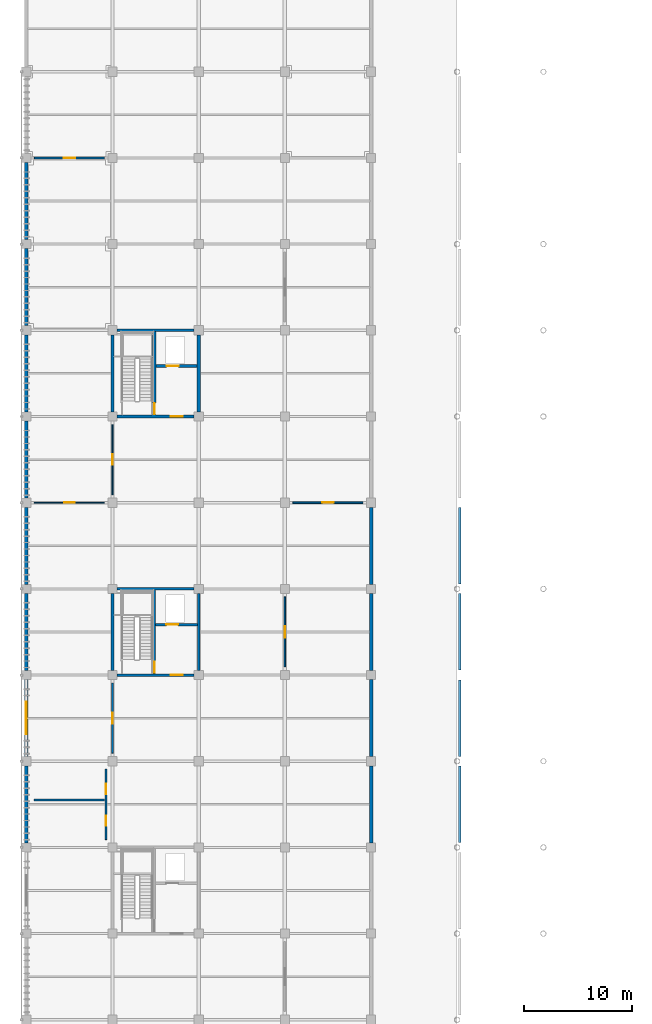
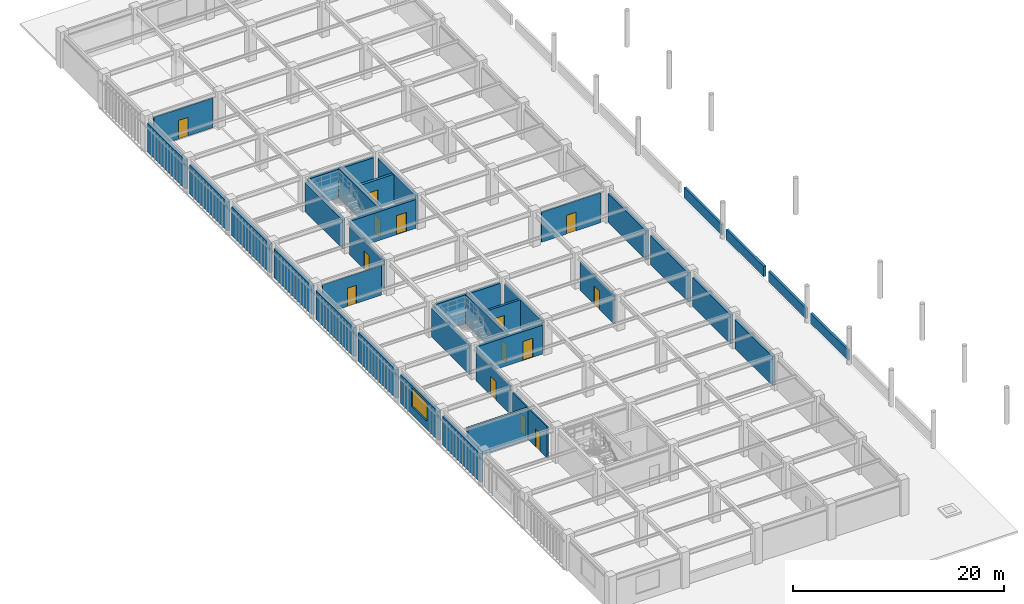
# One storey, part 53 of 78: 36 walls, 14 doors, 1 window, 15 openings.
"""IFC4 building model written with IfcOpenShell, lengths in metres."""

from ifc_helpers import new_model, si_unit, direction, frame, frame_2d, origin, place, context, subcontext, project, spatial, rectangle, extrude, material, layer, layer_set, type_object, element, fill, save


model = new_model("IFC4")

# Units and contexts
model_context = context("Model", 3, precision=1e-05, world=origin(), true_north=direction((0.0, 1.0)))
body_context = subcontext(model_context, "Body", "Model", "MODEL_VIEW")
ifc_project = project(units=[si_unit("LENGTHUNIT", "METRE"), si_unit("AREAUNIT", "SQUARE_METRE"), si_unit("VOLUMEUNIT", "CUBIC_METRE"), si_unit("PLANEANGLEUNIT", "RADIAN"), si_unit("MASSUNIT", "GRAM", prefix="KILO")], contexts=[model_context])

# Site, building, storey
site_placement = place(None, origin())
site = spatial("IfcSite", under=ifc_project, at=site_placement, CompositionType="ELEMENT")
building_placement = place(site_placement, origin())
building = spatial("IfcBuilding", under=site, at=building_placement, Name="Haebicheon Civic Stadium", CompositionType="ELEMENT")
storey_placement = place(building_placement, frame((0.0, 0.0, 18.60009765625)))
storey = spatial("IfcBuildingStorey", under=building, at=storey_placement, Name="L05", CompositionType="ELEMENT", Elevation=18.60009765625)

# Wall, opening, door
ifc_material_1 = material(Name="Concrete C40/50", Category="concrete")
ifc_layer_1 = layer(ifc_material_1, 0.239990234375, Name="Concrete C40/50")
ifc_layer_set_1 = layer_set([ifc_layer_1], Name="Concrete C40/50")
wall_type_1 = type_object("IfcWallType", Name="CW-SHR-240", PredefinedType="SHEAR", material=ifc_layer_set_1)
wall_1_placement = place(storey_placement, frame((32.425048828125, 80.0, 0.0), z_axis=(0.0, 0.0, 1.0), x_axis=(1.0, 0.0, 0.0)))
wall_1 = element("IfcWall", 1, at=wall_1_placement, inside=storey, type_object=wall_type_1, material=ifc_layer_set_1, Name="KC-03 L05 south core shear wall", PredefinedType="SHEAR", context=body_context, shape_type="SweptSolid", body=[
    extrude(rectangle(XDim=7.14990234375, YDim=0.239990234375, at=frame_2d((3.574951171875, 0.0))), origin(), (0.0, 0.0, 1.0), 3.33984375),
])
opening_1_placement = place(wall_1_placement, frame((5.0, 0.0, 0.0)))
opening_1 = element("IfcOpeningElement", 2, at=opening_1_placement, cuts=wall_1, Name="Opening D-L05-KC-03-LOB", PredefinedType="OPENING", context=body_context, shape_type="SweptSolid", body=[
    extrude(rectangle(XDim=1.10009765625, YDim=2.199951171875, at=frame_2d((0.550048828125, 1.10009765625))), frame((0.0, 0.1298828125, 0.0), z_axis=(0.0, -1.0, 0.0), x_axis=(1.0, 0.0, 0.0)), (0.0, 0.0, 1.0), 0.260009765625),
])
ifc_material_2 = material(Name="Galvanised painted steel SM355", Category="steel")
door_type_1 = type_object("IfcDoorType", Name="ID-FD-1100", OperationType="NOTDEFINED", PredefinedType="DOOR", material=ifc_material_2)
door_1_placement = place(opening_1_placement, origin())
door_1 = element("IfcDoor", 3, at=door_1_placement, inside=storey, type_object=door_type_1, material=ifc_material_2, Name="L05 KC-03 lobby fire door", OperationType="SINGLE_SWING_RIGHT", OverallHeight=2.199951171875, OverallWidth=1.10009765625, PredefinedType="DOOR", context=body_context, shape_type="SweptSolid", body=[
    extrude(rectangle(XDim=1.10009765625, YDim=2.199951171875, at=frame_2d((0.550048828125, 1.10009765625))), frame((0.0, 0.02490234375, 0.0), z_axis=(0.0, -1.0, 0.0), x_axis=(1.0, 0.0, 0.0)), (0.0, 0.0, 1.0), 0.050048828125),
])
fill(opening_1, door_1)

# Walls
for number, where, z_axis, x_axis, name in (
    (4, (32.425048828125, 88.0, 0.0), (0.0, 0.0, 1.0), (1.0, 0.0, 0.0), "KC-03 L05 north core shear wall"),
    (5, (32.0, 80.425048828125, 0.0), (0.0, 0.0, 1.0), (0.0, 1.0, 0.0), "KC-03 L05 west core shear wall"),
    (6, (40.0, 80.425048828125, 0.0), (0.0, 0.0, 1.0), (0.0, 1.0, 0.0), "KC-03 L05 east core shear wall"),
):
    element("IfcWall", number, at=place(storey_placement, frame(where, z_axis=z_axis, x_axis=x_axis)), inside=storey, type_object=wall_type_1, material=ifc_layer_set_1, Name=name, PredefinedType="SHEAR", context=body_context, shape_type="SweptSolid", body=[
        extrude(rectangle(XDim=7.14990234375, YDim=0.239990234375, at=frame_2d((3.574951171875, 0.0))), origin(), (0.0, 0.0, 1.0), 3.33984375),
    ])

# Wall, opening, door
wall_2_placement = place(storey_placement, frame((35.8798828125, 80.1201171875, 0.0), z_axis=(0.0, 0.0, 1.0), x_axis=(0.0, 1.0, 0.0)))
wall_2 = element("IfcWall", 7, at=wall_2_placement, inside=storey, type_object=wall_type_1, material=ifc_layer_set_1, Name="KC-03 L05 stair-lobby dividing shear wall", PredefinedType="SHEAR", context=body_context, shape_type="SweptSolid", body=[
    extrude(rectangle(XDim=7.759765625, YDim=0.239990234375, at=frame_2d((3.8798828125, 0.0))), origin(), (0.0, 0.0, 1.0), 3.43994140625),
])
opening_2_placement = place(wall_2_placement, frame((0.080078125, 0.0, 0.0)))
opening_2 = element("IfcOpeningElement", 8, at=opening_2_placement, cuts=wall_2, Name="Opening D-L05-KC-03-STR", PredefinedType="OPENING", context=body_context, shape_type="SweptSolid", body=[
    extrude(rectangle(XDim=1.050048828125, YDim=2.14990234375, at=frame_2d((0.52490234375, 1.074951171875))), frame((0.0, 0.1298828125, 0.0), z_axis=(0.0, -1.0, 0.0), x_axis=(1.0, 0.0, 0.0)), (0.0, 0.0, 1.0), 0.260009765625),
])
ifc_material_3 = material(Name="Galvanised painted steel SM355", Category="steel")
door_type_2 = type_object("IfcDoorType", Name="ID-FD-1050", OperationType="NOTDEFINED", PredefinedType="DOOR", material=ifc_material_3)
door_2_placement = place(opening_2_placement, origin())
door_2 = element("IfcDoor", 9, at=door_2_placement, inside=storey, type_object=door_type_2, material=ifc_material_3, Name="L05 ST-03 stairwell escape door", OperationType="SINGLE_SWING_LEFT", OverallHeight=2.14990234375, OverallWidth=1.050048828125, PredefinedType="DOOR", context=body_context, shape_type="SweptSolid", body=[
    extrude(rectangle(XDim=1.050048828125, YDim=2.14990234375, at=frame_2d((0.52490234375, 1.074951171875))), frame((0.0, 0.02490234375, 0.0), z_axis=(0.0, -1.0, 0.0), x_axis=(1.0, 0.0, 0.0)), (0.0, 0.0, 1.0), 0.050048828125),
])
fill(opening_2, door_2)

wall_3_placement = place(storey_placement, frame((36.0, 84.679931640625, 0.0), z_axis=(0.0, 0.0, 1.0), x_axis=(1.0, 0.0, 0.0)))
wall_3 = element("IfcWall", 10, at=wall_3_placement, inside=storey, type_object=wall_type_1, material=ifc_layer_set_1, Name="KC-03 L05 lift shaft front wall", PredefinedType="SHEAR", context=body_context, shape_type="SweptSolid", body=[
    extrude(rectangle(XDim=3.8798828125, YDim=0.239990234375, at=frame_2d((1.93994140625, 0.0))), origin(), (0.0, 0.0, 1.0), 3.33984375),
])
opening_3_placement = place(wall_3_placement, frame((1.0, 0.0, 0.0)))
opening_3 = element("IfcOpeningElement", 11, at=opening_3_placement, cuts=wall_3, Name="Opening LD-03-L05", PredefinedType="OPENING", context=body_context, shape_type="SweptSolid", body=[
    extrude(rectangle(XDim=1.10009765625, YDim=2.14990234375, at=frame_2d((0.550048828125, 1.074951171875))), frame((0.0, 0.1298828125, 0.0), z_axis=(0.0, -1.0, 0.0), x_axis=(1.0, 0.0, 0.0)), (0.0, 0.0, 1.0), 0.260009765625),
])
ifc_material_4 = material(Name="Stainless steel 316", Category="steel")
door_type_3 = type_object("IfcDoorType", Name="ID-LD-1100", OperationType="NOTDEFINED", PredefinedType="DOOR", material=ifc_material_4)
door_3_placement = place(opening_3_placement, origin())
door_3 = element("IfcDoor", 12, at=door_3_placement, inside=storey, type_object=door_type_3, material=ifc_material_4, Name="LF-03 lift landing sliding door L05", OperationType="SLIDING_TO_LEFT", OverallHeight=2.14990234375, OverallWidth=1.10009765625, PredefinedType="DOOR", context=body_context, shape_type="SweptSolid", body=[
    extrude(rectangle(XDim=1.10009765625, YDim=2.14990234375, at=frame_2d((0.550048828125, 1.074951171875))), frame((0.0, 0.02490234375, 0.0), z_axis=(0.0, -1.0, 0.0), x_axis=(1.0, 0.0, 0.0)), (0.0, 0.0, 1.0), 0.050048828125),
])
fill(opening_3, door_3)

wall_4_placement = place(storey_placement, frame((32.425048828125, 104.0, 0.0), z_axis=(0.0, 0.0, 1.0), x_axis=(1.0, 0.0, 0.0)))
wall_4 = element("IfcWall", 13, at=wall_4_placement, inside=storey, type_object=wall_type_1, material=ifc_layer_set_1, Name="KC-04 L05 south core shear wall", PredefinedType="SHEAR", context=body_context, shape_type="SweptSolid", body=[
    extrude(rectangle(XDim=7.14990234375, YDim=0.239990234375, at=frame_2d((3.574951171875, 0.0))), origin(), (0.0, 0.0, 1.0), 3.33984375),
])
opening_4_placement = place(wall_4_placement, frame((5.0, 0.0, 0.0)))
opening_4 = element("IfcOpeningElement", 14, at=opening_4_placement, cuts=wall_4, Name="Opening D-L05-KC-04-LOB", PredefinedType="OPENING", context=body_context, shape_type="SweptSolid", body=[
    extrude(rectangle(XDim=1.10009765625, YDim=2.199951171875, at=frame_2d((0.550048828125, 1.10009765625))), frame((0.0, 0.1298828125, 0.0), z_axis=(0.0, -1.0, 0.0), x_axis=(1.0, 0.0, 0.0)), (0.0, 0.0, 1.0), 0.260009765625),
])
door_4_placement = place(opening_4_placement, origin())
door_4 = element("IfcDoor", 15, at=door_4_placement, inside=storey, type_object=door_type_1, material=ifc_material_2, Name="L05 KC-04 lobby fire door", OperationType="SINGLE_SWING_RIGHT", OverallHeight=2.199951171875, OverallWidth=1.10009765625, PredefinedType="DOOR", context=body_context, shape_type="SweptSolid", body=[
    extrude(rectangle(XDim=1.10009765625, YDim=2.199951171875, at=frame_2d((0.550048828125, 1.10009765625))), frame((0.0, 0.02490234375, 0.0), z_axis=(0.0, -1.0, 0.0), x_axis=(1.0, 0.0, 0.0)), (0.0, 0.0, 1.0), 0.050048828125),
])
fill(opening_4, door_4)

# Walls
wall_5_placement = place(storey_placement, frame((32.425048828125, 112.0, 0.0), z_axis=(0.0, 0.0, 1.0), x_axis=(1.0, 0.0, 0.0)))
element("IfcWall", 16, at=wall_5_placement, inside=storey, type_object=wall_type_1, material=ifc_layer_set_1, Name="KC-04 L05 north core shear wall", PredefinedType="SHEAR", context=body_context, shape_type="SweptSolid", body=[
    extrude(rectangle(XDim=7.14990234375, YDim=0.239990234375, at=frame_2d((3.574951171875, 0.0))), origin(), (0.0, 0.0, 1.0), 3.33984375),
])
ifc_material_5 = material(Name="Concrete C40/50", Category="concrete")
ifc_layer_2 = layer(ifc_material_5, 0.300048828125, Name="Concrete C40/50")
ifc_layer_set_2 = layer_set([ifc_layer_2], Name="Concrete C40/50")
wall_type_2 = type_object("IfcWallType", Name="CW-SHR-300", PredefinedType="SHEAR", material=ifc_layer_set_2)
for number, where, z_axis, x_axis, name in (
    (17, (32.0, 104.425048828125, 0.0), (0.0, 0.0, 1.0), (0.0, 1.0, 0.0), "KC-04 L05 west core shear wall"),
    (18, (40.0, 104.425048828125, 0.0), (0.0, 0.0, 1.0), (0.0, 1.0, 0.0), "KC-04 L05 east core shear wall"),
):
    element("IfcWall", number, at=place(storey_placement, frame(where, z_axis=z_axis, x_axis=x_axis)), inside=storey, type_object=wall_type_2, material=ifc_layer_set_2, Name=name, PredefinedType="SHEAR", context=body_context, shape_type="SweptSolid", body=[
        extrude(rectangle(XDim=7.14990234375, YDim=0.300048828125, at=frame_2d((3.574951171875, 0.0))), origin(), (0.0, 0.0, 1.0), 3.33984375),
    ])

# Wall, opening, door
wall_6_placement = place(storey_placement, frame((35.8798828125, 104.1201171875, 0.0), z_axis=(0.0, 0.0, 1.0), x_axis=(0.0, 1.0, 0.0)))
wall_6 = element("IfcWall", 19, at=wall_6_placement, inside=storey, type_object=wall_type_2, material=ifc_layer_set_2, Name="KC-04 L05 stair-lobby dividing shear wall", PredefinedType="SHEAR", context=body_context, shape_type="SweptSolid", body=[
    extrude(rectangle(XDim=7.759765625, YDim=0.300048828125, at=frame_2d((3.8798828125, 0.0))), origin(), (0.0, 0.0, 1.0), 3.43994140625),
])
opening_5_placement = place(wall_6_placement, frame((0.080078125, 0.0, 0.0)))
opening_5 = element("IfcOpeningElement", 20, at=opening_5_placement, cuts=wall_6, Name="Opening D-L05-KC-04-STR", PredefinedType="OPENING", context=body_context, shape_type="SweptSolid", body=[
    extrude(rectangle(XDim=1.050048828125, YDim=2.14990234375, at=frame_2d((0.52490234375, 1.074951171875))), frame((0.0, 0.159912109375, 0.0), z_axis=(0.0, -1.0, 0.0), x_axis=(1.0, 0.0, 0.0)), (0.0, 0.0, 1.0), 0.320068359375),
])
door_5_placement = place(opening_5_placement, origin())
door_5 = element("IfcDoor", 21, at=door_5_placement, inside=storey, type_object=door_type_2, material=ifc_material_3, Name="L05 ST-04 stairwell escape door", OperationType="SINGLE_SWING_LEFT", OverallHeight=2.14990234375, OverallWidth=1.050048828125, PredefinedType="DOOR", context=body_context, shape_type="SweptSolid", body=[
    extrude(rectangle(XDim=1.050048828125, YDim=2.14990234375, at=frame_2d((0.52490234375, 1.074951171875))), frame((0.0, 0.02490234375, 0.0), z_axis=(0.0, -1.0, 0.0), x_axis=(1.0, 0.0, 0.0)), (0.0, 0.0, 1.0), 0.050048828125),
])
fill(opening_5, door_5)

wall_7_placement = place(storey_placement, frame((36.030029296875, 108.679931640625, 0.0), z_axis=(0.0, 0.0, 1.0), x_axis=(1.0, 0.0, 0.0)))
wall_7 = element("IfcWall", 22, at=wall_7_placement, inside=storey, type_object=wall_type_2, material=ifc_layer_set_2, Name="KC-04 L05 lift shaft front wall", PredefinedType="SHEAR", context=body_context, shape_type="SweptSolid", body=[
    extrude(rectangle(XDim=3.820068359375, YDim=0.300048828125, at=frame_2d((1.91015625, 0.0))), origin(), (0.0, 0.0, 1.0), 3.33984375),
])
opening_6_placement = place(wall_7_placement, frame((1.0, 0.0, 0.0)))
opening_6 = element("IfcOpeningElement", 23, at=opening_6_placement, cuts=wall_7, Name="Opening LD-04-L05", PredefinedType="OPENING", context=body_context, shape_type="SweptSolid", body=[
    extrude(rectangle(XDim=1.10009765625, YDim=2.14990234375, at=frame_2d((0.550048828125, 1.074951171875))), frame((0.0, 0.159912109375, 0.0), z_axis=(0.0, -1.0, 0.0), x_axis=(1.0, 0.0, 0.0)), (0.0, 0.0, 1.0), 0.320068359375),
])
door_6_placement = place(opening_6_placement, origin())
door_6 = element("IfcDoor", 24, at=door_6_placement, inside=storey, type_object=door_type_3, material=ifc_material_4, Name="LF-04 lift landing sliding door L05", OperationType="SLIDING_TO_LEFT", OverallHeight=2.14990234375, OverallWidth=1.10009765625, PredefinedType="DOOR", context=body_context, shape_type="SweptSolid", body=[
    extrude(rectangle(XDim=1.10009765625, YDim=2.14990234375, at=frame_2d((0.550048828125, 1.074951171875))), frame((0.0, 0.02490234375, 0.0), z_axis=(0.0, -1.0, 0.0), x_axis=(1.0, 0.0, 0.0)), (0.0, 0.0, 1.0), 0.050048828125),
])
fill(opening_6, door_6)

# Wall
ifc_material_6 = material(Name="Precast concrete C40/50", Category="concrete")
ifc_layer_3 = layer(ifc_material_6, 0.320068359375, Name="Precast concrete C40/50")
ifc_layer_set_3 = layer_set([ifc_layer_3], Name="Precast concrete C40/50")
wall_type_3 = type_object("IfcWallType", Name="EW-BM-320", PredefinedType="SOLIDWALL", material=ifc_layer_set_3)
wall_8_placement = place(storey_placement, frame((24.0, 64.425048828125, 0.0), z_axis=(0.0, 0.0, 1.0), x_axis=(0.0, 1.0, 0.0)))
element("IfcWall", 25, at=wall_8_placement, inside=storey, type_object=wall_type_3, material=ifc_layer_set_3, Name="L05 board-marked concrete facade wall 03-08-W", PredefinedType="SOLIDWALL", context=body_context, shape_type="SweptSolid", body=[
    extrude(rectangle(XDim=7.14990234375, YDim=0.320068359375, at=frame_2d((3.574951171875, 0.0))), origin(), (0.0, 0.0, 1.0), 3.33984375),
])

# Wall, opening, window
wall_9_placement = place(storey_placement, frame((24.0, 72.425048828125, 0.0), z_axis=(0.0, 0.0, 1.0), x_axis=(0.0, 1.0, 0.0)))
wall_9 = element("IfcWall", 26, at=wall_9_placement, inside=storey, type_object=wall_type_3, material=ifc_layer_set_3, Name="L05 board-marked concrete facade wall 03-09-W", PredefinedType="SOLIDWALL", context=body_context, shape_type="SweptSolid", body=[
    extrude(rectangle(XDim=7.14990234375, YDim=0.320068359375, at=frame_2d((3.574951171875, 0.0))), origin(), (0.0, 0.0, 1.0), 3.33984375),
])
opening_7_placement = place(wall_9_placement, frame((2.074951171875, 0.0, 0.949951171875)))
opening_7 = element("IfcOpeningElement", 27, at=opening_7_placement, cuts=wall_9, Name="Opening WIN-300x210", PredefinedType="OPENING", context=body_context, shape_type="SweptSolid", body=[
    extrude(rectangle(XDim=3.0, YDim=2.10009765625, at=frame_2d((1.5, 1.050048828125))), frame((0.0, 0.169921875, 0.0), z_axis=(0.0, -1.0, 0.0), x_axis=(1.0, 0.0, 0.0)), (0.0, 0.0, 1.0), 0.340087890625),
])
ifc_material_7 = material(Name="Anodised aluminium and laminated glass", Category="aluminium")
window_type = type_object("IfcWindowType", Name="WIN-300x210", PartitioningType="SINGLE_PANEL", PredefinedType="WINDOW", material=ifc_material_7)
window_placement = place(opening_7_placement, origin())
window = element("IfcWindow", 28, at=window_placement, inside=storey, type_object=window_type, material=ifc_material_7, Name="L05 facade window 103", OverallHeight=2.10009765625, OverallWidth=3.0, PartitioningType="SINGLE_PANEL", PredefinedType="WINDOW", context=body_context, shape_type="SweptSolid", body=[
    extrude(rectangle(XDim=3.0, YDim=2.10009765625, at=frame_2d((1.5, 1.050048828125))), frame((0.0, 0.030029296875, 0.0), z_axis=(0.0, -1.0, 0.0), x_axis=(1.0, 0.0, 0.0)), (0.0, 0.0, 1.0), 0.06005859375),
])
fill(opening_7, window)

# Walls
for number, where, z_axis, x_axis, name in (
    (29, (24.0, 80.425048828125, 0.0), (0.0, 0.0, 1.0), (0.0, 1.0, 0.0), "L05 board-marked concrete facade wall 03-10-W"),
    (30, (24.0, 88.425048828125, 0.0), (0.0, 0.0, 1.0), (0.0, 1.0, 0.0), "L05 board-marked concrete facade wall 03-11-W"),
    (31, (24.0, 96.425048828125, 0.0), (0.0, 0.0, 1.0), (0.0, 1.0, 0.0), "L05 board-marked concrete facade wall 03-12-W"),
    (32, (24.0, 104.425048828125, 0.0), (0.0, 0.0, 1.0), (0.0, 1.0, 0.0), "L05 board-marked concrete facade wall 03-13-W"),
    (33, (24.0, 112.425048828125, 0.0), (0.0, 0.0, 1.0), (0.0, 1.0, 0.0), "L05 board-marked concrete facade wall 03-14-W"),
    (34, (24.0, 120.425048828125, 0.0), (0.0, 0.0, 1.0), (0.0, 1.0, 0.0), "L05 board-marked concrete facade wall 03-15-W"),
):
    element("IfcWall", number, at=place(storey_placement, frame(where, z_axis=z_axis, x_axis=x_axis)), inside=storey, type_object=wall_type_3, material=ifc_layer_set_3, Name=name, PredefinedType="SOLIDWALL", context=body_context, shape_type="SweptSolid", body=[
        extrude(rectangle(XDim=7.14990234375, YDim=0.320068359375, at=frame_2d((3.574951171875, 0.0))), origin(), (0.0, 0.0, 1.0), 3.33984375),
    ])
for number, where, z_axis, x_axis, name in (
    (35, (56.0, 64.425048828125, 0.0), (0.0, 0.0, 1.0), (0.0, 1.0, 0.0), "L05 board-marked concrete facade wall 07-08-E"),
    (36, (56.0, 72.425048828125, 0.0), (0.0, 0.0, 1.0), (0.0, 1.0, 0.0), "L05 board-marked concrete facade wall 07-09-E"),
    (37, (56.0, 80.425048828125, 0.0), (0.0, 0.0, 1.0), (0.0, 1.0, 0.0), "L05 board-marked concrete facade wall 07-10-E"),
    (38, (56.0, 88.425048828125, 0.0), (0.0, 0.0, 1.0), (0.0, 1.0, 0.0), "L05 board-marked concrete facade wall 07-11-E"),
):
    element("IfcWall", number, at=place(storey_placement, frame(where, z_axis=z_axis, x_axis=x_axis)), inside=storey, type_object=wall_type_3, material=ifc_layer_set_3, Name=name, PredefinedType="SOLIDWALL", context=body_context, shape_type="SweptSolid", body=[
        extrude(rectangle(XDim=7.14990234375, YDim=0.320068359375, at=frame_2d((3.574951171875, 0.0))), origin(), (0.0, 0.0, 1.0), 3.349853515625),
    ])
ifc_material_8 = material(Name="Precast concrete C40/50", Category="concrete")
ifc_layer_4 = layer(ifc_material_8, 0.25, Name="Precast concrete C40/50")
ifc_layer_set_4 = layer_set([ifc_layer_4], Name="Precast concrete C40/50")
wall_type_4 = type_object("IfcWallType", Name="EW-PAR-250", PredefinedType="PARAPET", material=ifc_layer_set_4)
for number, where, z_axis, x_axis, name in (
    (39, (64.239990234375, 64.449951171875, 0.0), (0.0, 0.0, 1.0), (0.0, 1.0, 0.0), "TIER-W-U upper gangway parapet 3"),
    (40, (64.239990234375, 72.449951171875, 0.0), (0.0, 0.0, 1.0), (0.0, 1.0, 0.0), "TIER-W-U upper gangway parapet 4"),
    (41, (64.239990234375, 80.449951171875, 0.0), (0.0, 0.0, 1.0), (0.0, 1.0, 0.0), "TIER-W-U upper gangway parapet 5"),
    (42, (64.239990234375, 88.449951171875, 0.0), (0.0, 0.0, 1.0), (0.0, 1.0, 0.0), "TIER-W-U upper gangway parapet 6"),
):
    element("IfcWall", number, at=place(storey_placement, frame(where, z_axis=z_axis, x_axis=x_axis)), inside=storey, type_object=wall_type_4, material=ifc_layer_set_4, Name=name, PredefinedType="PARAPET", context=body_context, shape_type="SweptSolid", body=[
        extrude(rectangle(XDim=7.10009765625, YDim=0.25, at=frame_2d((3.550048828125, 0.0))), origin(), (0.0, 0.0, 1.0), 1.199951171875),
    ])
ifc_material_9 = material(Name="Concrete C35/45", Category="concrete")
ifc_layer_5 = layer(ifc_material_9, 0.219970703125, Name="Concrete C35/45")
ifc_layer_set_5 = layer_set([ifc_layer_5], Name="Concrete C35/45")
wall_type_5 = type_object("IfcWallType", Name="IW-PLB-220", PredefinedType="PLUMBINGWALL", material=ifc_layer_set_5)
wall_10_placement = place(storey_placement, frame((24.719970703125, 68.39990234375, 0.0), z_axis=(0.0, 0.0, 1.0), x_axis=(1.0, 0.0, 0.0)))
element("IfcWall", 43, at=wall_10_placement, inside=storey, type_object=wall_type_5, material=ifc_layer_set_5, Name="L05 sanitary plumbing chase wall 16", PredefinedType="PLUMBINGWALL", context=body_context, shape_type="SweptSolid", body=[
    extrude(rectangle(XDim=6.56005859375, YDim=0.219970703125, at=frame_2d((3.280029296875, 0.0))), origin(), (0.0, 0.0, 1.0), 3.639892578125),
])

# Wall, opening, door
ifc_material_10 = material(Name="Anodised aluminium and laminated glass", Category="aluminium")
ifc_layer_6 = layer(ifc_material_10, 0.10009765625, Name="Anodised aluminium and laminated glass")
ifc_layer_set_6 = layer_set([ifc_layer_6], Name="Anodised aluminium and laminated glass")
wall_type_6 = type_object("IfcWallType", Name="IW-PRT-100", PredefinedType="PARTITIONING", material=ifc_layer_set_6)
wall_11_placement = place(storey_placement, frame((24.75, 96.0, 0.0), z_axis=(0.0, 0.0, 1.0), x_axis=(1.0, 0.0, 0.0)))
wall_11 = element("IfcWall", 44, at=wall_11_placement, inside=storey, type_object=wall_type_6, material=ifc_layer_set_6, Name="L05 Supporters' Viewing Deck Lounge partition wall", PredefinedType="PARTITIONING", context=body_context, shape_type="SweptSolid", body=[
    extrude(rectangle(XDim=6.5, YDim=0.10009765625, at=frame_2d((3.25, 0.0))), origin(), (0.0, 0.0, 1.0), 3.43994140625),
])
opening_8_placement = place(wall_11_placement, frame((2.77490234375, 0.0, 0.0)))
opening_8 = element("IfcOpeningElement", 45, at=opening_8_placement, cuts=wall_11, Name="Opening D-L05-427", PredefinedType="OPENING", context=body_context, shape_type="SweptSolid", body=[
    extrude(rectangle(XDim=0.949951171875, YDim=2.10009765625, at=frame_2d((0.47509765625, 1.050048828125))), frame((0.0, 0.06005859375, 0.0), z_axis=(0.0, -1.0, 0.0), x_axis=(1.0, 0.0, 0.0)), (0.0, 0.0, 1.0), 0.1201171875),
])
ifc_material_11 = material(Name="Engineered hardwood timber", Category="wood")
door_type_4 = type_object("IfcDoorType", Name="ID-RM-0950", OperationType="NOTDEFINED", PredefinedType="DOOR", material=ifc_material_11)
door_7_placement = place(opening_8_placement, origin())
door_7 = element("IfcDoor", 46, at=door_7_placement, inside=storey, type_object=door_type_4, material=ifc_material_11, Name="L05 Supporters' Viewing Deck Lounge entrance door D-L05-427", OperationType="SINGLE_SWING_RIGHT", OverallHeight=2.10009765625, OverallWidth=0.949951171875, PredefinedType="DOOR", context=body_context, shape_type="SweptSolid", body=[
    extrude(rectangle(XDim=0.949951171875, YDim=2.10009765625, at=frame_2d((0.47509765625, 1.050048828125))), frame((0.0, 0.02490234375, 0.0), z_axis=(0.0, -1.0, 0.0), x_axis=(1.0, 0.0, 0.0)), (0.0, 0.0, 1.0), 0.050048828125),
])
fill(opening_8, door_7)

wall_12_placement = place(storey_placement, frame((32.0, 96.75, 0.0), z_axis=(0.0, 0.0, 1.0), x_axis=(0.0, 1.0, 0.0)))
wall_12 = element("IfcWall", 47, at=wall_12_placement, inside=storey, type_object=wall_type_6, material=ifc_layer_set_6, Name="L05 Supporters' Viewing Deck Lounge partition wall", PredefinedType="PARTITIONING", context=body_context, shape_type="SweptSolid", body=[
    extrude(rectangle(XDim=6.5, YDim=0.10009765625, at=frame_2d((3.25, 0.0))), origin(), (0.0, 0.0, 1.0), 3.33984375),
])
opening_9_placement = place(wall_12_placement, frame((2.77490234375, 0.0, 0.0)))
opening_9 = element("IfcOpeningElement", 48, at=opening_9_placement, cuts=wall_12, Name="Opening D-L05-431", PredefinedType="OPENING", context=body_context, shape_type="SweptSolid", body=[
    extrude(rectangle(XDim=0.949951171875, YDim=2.10009765625, at=frame_2d((0.47509765625, 1.050048828125))), frame((0.0, 0.06005859375, 0.0), z_axis=(0.0, -1.0, 0.0), x_axis=(1.0, 0.0, 0.0)), (0.0, 0.0, 1.0), 0.1201171875),
])
door_8_placement = place(opening_9_placement, origin())
door_8 = element("IfcDoor", 49, at=door_8_placement, inside=storey, type_object=door_type_4, material=ifc_material_11, Name="L05 Supporters' Viewing Deck Lounge entrance door D-L05-431", OperationType="SINGLE_SWING_RIGHT", OverallHeight=2.10009765625, OverallWidth=0.949951171875, PredefinedType="DOOR", context=body_context, shape_type="SweptSolid", body=[
    extrude(rectangle(XDim=0.949951171875, YDim=2.10009765625, at=frame_2d((0.47509765625, 1.050048828125))), frame((0.0, 0.02490234375, 0.0), z_axis=(0.0, -1.0, 0.0), x_axis=(1.0, 0.0, 0.0)), (0.0, 0.0, 1.0), 0.050048828125),
])
fill(opening_9, door_8)

# Wall, openings, doors
ifc_material_12 = material(Name="Gypsum plasterboard on steel studs", Category="gypsum")
ifc_layer_7 = layer(ifc_material_12, 0.14990234375, Name="Gypsum plasterboard on steel studs")
ifc_layer_set_7 = layer_set([ifc_layer_7], Name="Gypsum plasterboard on steel studs")
wall_type_7 = type_object("IfcWallType", Name="IW-PRT-150", PredefinedType="PARTITIONING", material=ifc_layer_set_7)
wall_13_placement = place(storey_placement, frame((31.39990234375, 64.719970703125, 0.0), z_axis=(0.0, 0.0, 1.0), x_axis=(0.0, 1.0, 0.0)))
wall_13 = element("IfcWall", 50, at=wall_13_placement, inside=storey, type_object=wall_type_7, material=ifc_layer_set_7, Name="L05 sanitary enclosure front wall 16", PredefinedType="PARTITIONING", context=body_context, shape_type="SweptSolid", body=[
    extrude(rectangle(XDim=6.56005859375, YDim=0.14990234375, at=frame_2d((3.280029296875, 0.0))), origin(), (0.0, 0.0, 1.0), 3.639892578125),
])
opening_10_placement = place(wall_13_placement, frame((1.300048828125, 0.0, 0.0)))
opening_10 = element("IfcOpeningElement", 51, at=opening_10_placement, cuts=wall_13, Name="Opening D-L05-WC-16A", PredefinedType="OPENING", context=body_context, shape_type="SweptSolid", body=[
    extrude(rectangle(XDim=0.89990234375, YDim=2.10009765625, at=frame_2d((0.449951171875, 1.050048828125))), frame((0.0, 0.0849609375, 0.0), z_axis=(0.0, -1.0, 0.0), x_axis=(1.0, 0.0, 0.0)), (0.0, 0.0, 1.0), 0.169921875),
])
opening_11_placement = place(wall_13_placement, frame((4.199951171875, 0.0, 0.0)))
opening_11 = element("IfcOpeningElement", 52, at=opening_11_placement, cuts=wall_13, Name="Opening D-L05-AWC-16B", PredefinedType="OPENING", context=body_context, shape_type="SweptSolid", body=[
    extrude(rectangle(XDim=1.0, YDim=2.14990234375, at=frame_2d((0.5, 1.074951171875))), frame((0.0, 0.0849609375, 0.0), z_axis=(0.0, -1.0, 0.0), x_axis=(1.0, 0.0, 0.0)), (0.0, 0.0, 1.0), 0.169921875),
])
ifc_material_13 = material(Name="Anodised aluminium 6063-T6", Category="aluminium")
door_type_5 = type_object("IfcDoorType", Name="ID-AWC-1000", OperationType="NOTDEFINED", PredefinedType="DOOR", material=ifc_material_13)
door_9_placement = place(opening_11_placement, origin())
door_9 = element("IfcDoor", 53, at=door_9_placement, inside=storey, type_object=door_type_5, material=ifc_material_13, Name="L05 accessible WC door 16", OperationType="SINGLE_SWING_RIGHT", OverallHeight=2.14990234375, OverallWidth=1.0, PredefinedType="DOOR", context=body_context, shape_type="SweptSolid", body=[
    extrude(rectangle(XDim=1.0, YDim=2.14990234375, at=frame_2d((0.5, 1.074951171875))), frame((0.0, 0.02490234375, 0.0), z_axis=(0.0, -1.0, 0.0), x_axis=(1.0, 0.0, 0.0)), (0.0, 0.0, 1.0), 0.050048828125),
])
fill(opening_11, door_9)
ifc_material_14 = material(Name="Anodised aluminium 6063-T6", Category="aluminium")
door_type_6 = type_object("IfcDoorType", Name="ID-WC-0900", OperationType="NOTDEFINED", PredefinedType="DOOR", material=ifc_material_14)
door_10_placement = place(opening_10_placement, origin())
door_10 = element("IfcDoor", 54, at=door_10_placement, inside=storey, type_object=door_type_6, material=ifc_material_14, Name="L05 public restroom door 16", OperationType="SINGLE_SWING_LEFT", OverallHeight=2.10009765625, OverallWidth=0.89990234375, PredefinedType="DOOR", context=body_context, shape_type="SweptSolid", body=[
    extrude(rectangle(XDim=0.89990234375, YDim=2.10009765625, at=frame_2d((0.449951171875, 1.050048828125))), frame((0.0, 0.02490234375, 0.0), z_axis=(0.0, -1.0, 0.0), x_axis=(1.0, 0.0, 0.0)), (0.0, 0.0, 1.0), 0.050048828125),
])
fill(opening_10, door_10)

# Wall, opening, door
wall_14_placement = place(storey_placement, frame((32.0, 72.75, 0.0), z_axis=(0.0, 0.0, 1.0), x_axis=(0.0, 1.0, 0.0)))
wall_14 = element("IfcWall", 55, at=wall_14_placement, inside=storey, type_object=wall_type_7, material=ifc_layer_set_7, Name="L05 West Bowl Crowd Safety Suite partition wall", PredefinedType="PARTITIONING", context=body_context, shape_type="SweptSolid", body=[
    extrude(rectangle(XDim=6.5, YDim=0.14990234375, at=frame_2d((3.25, 0.0))), origin(), (0.0, 0.0, 1.0), 3.33984375),
])
opening_12_placement = place(wall_14_placement, frame((2.72509765625, 0.0, 0.0)))
opening_12 = element("IfcOpeningElement", 56, at=opening_12_placement, cuts=wall_14, Name="Opening D-L05-426", PredefinedType="OPENING", context=body_context, shape_type="SweptSolid", body=[
    extrude(rectangle(XDim=1.050048828125, YDim=2.14990234375, at=frame_2d((0.52490234375, 1.074951171875))), frame((0.0, 0.0849609375, 0.0), z_axis=(0.0, -1.0, 0.0), x_axis=(1.0, 0.0, 0.0)), (0.0, 0.0, 1.0), 0.169921875),
])
ifc_material_15 = material(Name="Engineered hardwood timber", Category="wood")
door_type_7 = type_object("IfcDoorType", Name="ID-RM-1050", OperationType="NOTDEFINED", PredefinedType="DOOR", material=ifc_material_15)
door_11_placement = place(opening_12_placement, origin())
door_11 = element("IfcDoor", 57, at=door_11_placement, inside=storey, type_object=door_type_7, material=ifc_material_15, Name="L05 West Bowl Crowd Safety Suite entrance door D-L05-426", OperationType="SINGLE_SWING_LEFT", OverallHeight=2.14990234375, OverallWidth=1.050048828125, PredefinedType="DOOR", context=body_context, shape_type="SweptSolid", body=[
    extrude(rectangle(XDim=1.050048828125, YDim=2.14990234375, at=frame_2d((0.52490234375, 1.074951171875))), frame((0.0, 0.02490234375, 0.0), z_axis=(0.0, -1.0, 0.0), x_axis=(1.0, 0.0, 0.0)), (0.0, 0.0, 1.0), 0.050048828125),
])
fill(opening_12, door_11)

wall_15_placement = place(storey_placement, frame((24.75, 128.0, 0.0), z_axis=(0.0, 0.0, 1.0), x_axis=(1.0, 0.0, 0.0)))
wall_15 = element("IfcWall", 58, at=wall_15_placement, inside=storey, type_object=wall_type_7, material=ifc_layer_set_7, Name="L05 West Bowl Crowd Safety Suite partition wall", PredefinedType="PARTITIONING", context=body_context, shape_type="SweptSolid", body=[
    extrude(rectangle(XDim=6.5, YDim=0.14990234375, at=frame_2d((3.25, 0.0))), origin(), (0.0, 0.0, 1.0), 3.43994140625),
])
opening_13_placement = place(wall_15_placement, frame((2.72509765625, 0.0, 0.0)))
opening_13 = element("IfcOpeningElement", 59, at=opening_13_placement, cuts=wall_15, Name="Opening D-L05-428", PredefinedType="OPENING", context=body_context, shape_type="SweptSolid", body=[
    extrude(rectangle(XDim=1.050048828125, YDim=2.14990234375, at=frame_2d((0.52490234375, 1.074951171875))), frame((0.0, 0.0849609375, 0.0), z_axis=(0.0, -1.0, 0.0), x_axis=(1.0, 0.0, 0.0)), (0.0, 0.0, 1.0), 0.169921875),
])
door_12_placement = place(opening_13_placement, origin())
door_12 = element("IfcDoor", 60, at=door_12_placement, inside=storey, type_object=door_type_7, material=ifc_material_15, Name="L05 West Bowl Crowd Safety Suite entrance door D-L05-428", OperationType="SINGLE_SWING_LEFT", OverallHeight=2.14990234375, OverallWidth=1.050048828125, PredefinedType="DOOR", context=body_context, shape_type="SweptSolid", body=[
    extrude(rectangle(XDim=1.050048828125, YDim=2.14990234375, at=frame_2d((0.52490234375, 1.074951171875))), frame((0.0, 0.02490234375, 0.0), z_axis=(0.0, -1.0, 0.0), x_axis=(1.0, 0.0, 0.0)), (0.0, 0.0, 1.0), 0.050048828125),
])
fill(opening_13, door_12)

wall_16_placement = place(storey_placement, frame((48.0, 80.75, 0.0), z_axis=(0.0, 0.0, 1.0), x_axis=(0.0, 1.0, 0.0)))
wall_16 = element("IfcWall", 61, at=wall_16_placement, inside=storey, type_object=wall_type_7, material=ifc_layer_set_7, Name="L05 West Bowl Crowd Safety Suite partition wall", PredefinedType="PARTITIONING", context=body_context, shape_type="SweptSolid", body=[
    extrude(rectangle(XDim=6.5, YDim=0.14990234375, at=frame_2d((3.25, 0.0))), origin(), (0.0, 0.0, 1.0), 3.33984375),
])
opening_14_placement = place(wall_16_placement, frame((2.72509765625, 0.0, 0.0)))
opening_14 = element("IfcOpeningElement", 62, at=opening_14_placement, cuts=wall_16, Name="Opening D-L05-430", PredefinedType="OPENING", context=body_context, shape_type="SweptSolid", body=[
    extrude(rectangle(XDim=1.050048828125, YDim=2.14990234375, at=frame_2d((0.52490234375, 1.074951171875))), frame((0.0, 0.0849609375, 0.0), z_axis=(0.0, -1.0, 0.0), x_axis=(1.0, 0.0, 0.0)), (0.0, 0.0, 1.0), 0.169921875),
])
door_13_placement = place(opening_14_placement, origin())
door_13 = element("IfcDoor", 63, at=door_13_placement, inside=storey, type_object=door_type_7, material=ifc_material_15, Name="L05 West Bowl Crowd Safety Suite entrance door D-L05-430", OperationType="SINGLE_SWING_LEFT", OverallHeight=2.14990234375, OverallWidth=1.050048828125, PredefinedType="DOOR", context=body_context, shape_type="SweptSolid", body=[
    extrude(rectangle(XDim=1.050048828125, YDim=2.14990234375, at=frame_2d((0.52490234375, 1.074951171875))), frame((0.0, 0.02490234375, 0.0), z_axis=(0.0, -1.0, 0.0), x_axis=(1.0, 0.0, 0.0)), (0.0, 0.0, 1.0), 0.050048828125),
])
fill(opening_14, door_13)

wall_17_placement = place(storey_placement, frame((48.75, 96.0, 0.0), z_axis=(0.0, 0.0, 1.0), x_axis=(1.0, 0.0, 0.0)))
wall_17 = element("IfcWall", 64, at=wall_17_placement, inside=storey, type_object=wall_type_7, material=ifc_layer_set_7, Name="L05 West Bowl Crowd Safety Suite partition wall", PredefinedType="PARTITIONING", context=body_context, shape_type="SweptSolid", body=[
    extrude(rectangle(XDim=6.5, YDim=0.14990234375, at=frame_2d((3.25, 0.0))), origin(), (0.0, 0.0, 1.0), 3.469970703125),
])
opening_15_placement = place(wall_17_placement, frame((2.72509765625, 0.0, 0.0)))
opening_15 = element("IfcOpeningElement", 65, at=opening_15_placement, cuts=wall_17, Name="Opening D-L05-433", PredefinedType="OPENING", context=body_context, shape_type="SweptSolid", body=[
    extrude(rectangle(XDim=1.050048828125, YDim=2.14990234375, at=frame_2d((0.52490234375, 1.074951171875))), frame((0.0, 0.0849609375, 0.0), z_axis=(0.0, -1.0, 0.0), x_axis=(1.0, 0.0, 0.0)), (0.0, 0.0, 1.0), 0.169921875),
])
door_14_placement = place(opening_15_placement, origin())
door_14 = element("IfcDoor", 66, at=door_14_placement, inside=storey, type_object=door_type_7, material=ifc_material_15, Name="L05 West Bowl Crowd Safety Suite entrance door D-L05-433", OperationType="SINGLE_SWING_LEFT", OverallHeight=2.14990234375, OverallWidth=1.050048828125, PredefinedType="DOOR", context=body_context, shape_type="SweptSolid", body=[
    extrude(rectangle(XDim=1.050048828125, YDim=2.14990234375, at=frame_2d((0.52490234375, 1.074951171875))), frame((0.0, 0.02490234375, 0.0), z_axis=(0.0, -1.0, 0.0), x_axis=(1.0, 0.0, 0.0)), (0.0, 0.0, 1.0), 0.050048828125),
])
fill(opening_15, door_14)

save(model, "model.ifc")
